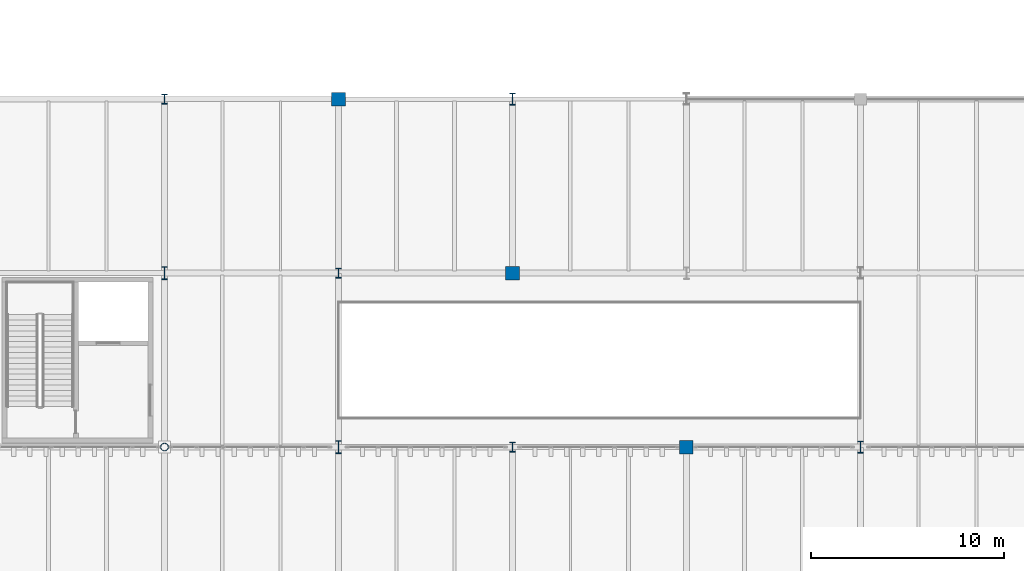
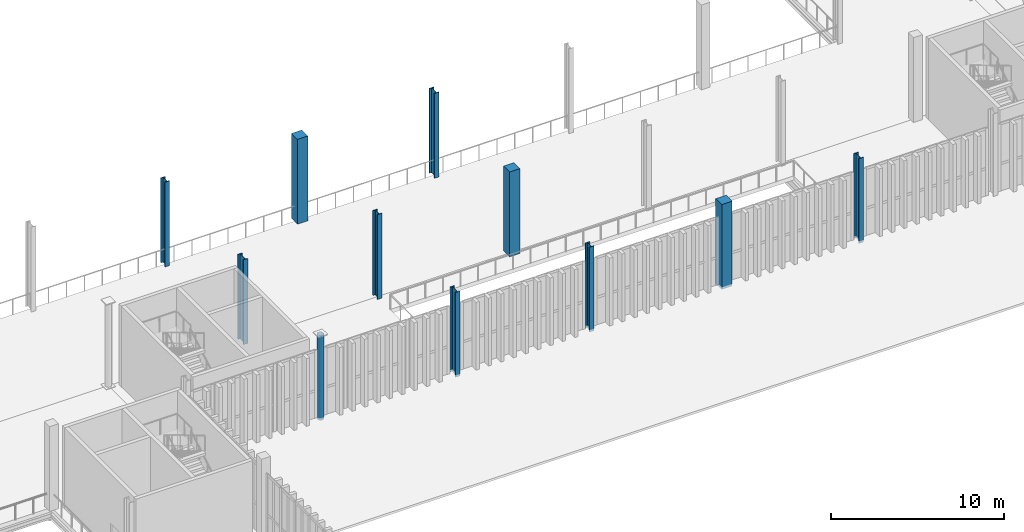
# One storey, part 6 of 211: 11 columns.
"""IFC4 building model written with IfcOpenShell, lengths in metres."""

import ifcopenshell
import ifcopenshell.guid

model = None  # the IFC model being written
_history = None  # IfcOwnerHistory: only IFC2X3 demands one
_inside = {}  # id of a spatial element -> (the spatial element, [elements in it])
_under = {}  # id of a project, library or spatial element -> (it, [spatial elements below it])
_declared = {}  # id of a project -> (the project, [libraries it declares])
_typed = {}  # id of a type object -> (the type object, [elements of that type])
_made_of = {}  # id of a material, layer set ... -> (it, [elements and type objects made of it])


def new_model(schema):
    """Start an empty IFC model of exactly this schema.

    Asked for "IFC4X3", IfcOpenShell would pick the latest addendum, in which some entities
    have other attributes; the version numbers below select the first issue.
    IFC2X3 requires an IfcOwnerHistory on every rooted entity: one is made here for all.
    """
    global model, _history
    if schema == "IFC4X3":
        model = ifcopenshell.file(schema_version=(4, 3, 0, 0))
    else:
        model = ifcopenshell.file(schema=schema)
    _inside.clear()
    _under.clear()
    _declared.clear()
    _typed.clear()
    _made_of.clear()
    _history = None
    if model.schema == "IFC2X3":
        org = make("IfcOrganization", Name="unknown")
        user = make(
            "IfcPersonAndOrganization",
            ThePerson=make("IfcPerson", FamilyName="unknown"),
            TheOrganization=org,
        )
        app = make(
            "IfcApplication",
            ApplicationDeveloper=org,
            Version="unknown",
            ApplicationFullName="unknown",
            ApplicationIdentifier="unknown",
        )
        _history = make(
            "IfcOwnerHistory",
            OwningUser=user,
            OwningApplication=app,
            ChangeAction="ADDED",
            CreationDate=0,
        )
    return model


def make(cls, **values):
    """One entity of the class cls with the attributes given. An attribute that is None is left unset."""
    return model.create_entity(
        cls, **{name: value for name, value in values.items() if value is not None}
    )


def rooted(cls, **values):
    """An entity with a GlobalId (a new one), such as an element, a storey or a relation."""
    return make(cls, GlobalId=ifcopenshell.guid.new(), OwnerHistory=_history, **values)


def si_unit(unit_type, name, prefix=None):
    """IfcSIUnit, for example si_unit("LENGTHUNIT", "METRE", prefix="MILLI")."""
    return make("IfcSIUnit", UnitType=unit_type, Prefix=prefix, Name=name)


def assignment(units):
    """IfcUnitAssignment: the units of a project."""
    return None if units is None else make("IfcUnitAssignment", Units=units)


def point(xyz):
    """IfcCartesianPoint."""
    return None if xyz is None else make("IfcCartesianPoint", Coordinates=xyz)


def direction(xyz):
    """IfcDirection."""
    return None if xyz is None else make("IfcDirection", DirectionRatios=xyz)


def frame(location, z_axis=None, x_axis=None):
    """IfcAxis2Placement3D, a coordinate frame: its origin and axes. An axis left out is left unset."""
    return make(
        "IfcAxis2Placement3D",
        Location=point(location),
        Axis=direction(z_axis),
        RefDirection=direction(x_axis),
    )


def frame_2d(location, x_axis=None):
    """IfcAxis2Placement2D, a coordinate frame in the plane: its origin and x axis."""
    return make(
        "IfcAxis2Placement2D", Location=point(location), RefDirection=direction(x_axis)
    )


def origin():
    """The frame at (0, 0, 0) with its axes left unset."""
    return frame((0.0, 0.0, 0.0))


def origin_2d():
    """The frame at (0, 0) in the plane with its x axis left unset."""
    return frame_2d((0.0, 0.0))


def place(relative_to, where):
    """IfcLocalPlacement: puts the frame where relative to a parent placement (None: the world)."""
    return make(
        "IfcLocalPlacement", PlacementRelTo=relative_to, RelativePlacement=where
    )


def context(
    kind, dimensions, precision=None, world=None, true_north=None, identifier=None
):
    """IfcGeometricRepresentationContext, for example the 3D "Model" context."""
    return make(
        "IfcGeometricRepresentationContext",
        ContextIdentifier=identifier,
        ContextType=kind,
        CoordinateSpaceDimension=dimensions,
        Precision=precision,
        WorldCoordinateSystem=world,
        TrueNorth=true_north,
    )


def subcontext(parent, identifier, kind, view, scale=None):
    """IfcGeometricRepresentationSubContext, for example "Body" below "Model"."""
    return make(
        "IfcGeometricRepresentationSubContext",
        ContextIdentifier=identifier,
        ContextType=kind,
        ParentContext=parent,
        TargetScale=scale,
        TargetView=view,
    )


def project(units=None, contexts=None):
    """IfcProject with its units and contexts."""
    return rooted(
        "IfcProject",
        Name="project",
        RepresentationContexts=contexts,
        UnitsInContext=assignment(units),
    )


def spatial(cls, under=None, at=None, **own):
    """A site, building, storey or space (cls), placed at a placement, below another one or the project."""
    s = rooted(cls, ObjectPlacement=at, **own)
    if under is not None:
        _under.setdefault(under.id(), (under, []))[1].append(s)
    return s


def profile(cls, at=None, kind="AREA", **sizes):
    """A parametric profile (cls). Its sizes go by their IFC names, for example OverallWidth=200.0."""
    return make(cls, ProfileType=kind, Position=at, **sizes)


def rectangle(**sizes):
    """IfcRectangleProfileDef."""
    return profile("IfcRectangleProfileDef", **sizes)


def hollow_circle(**sizes):
    """IfcCircleHollowProfileDef."""
    return profile("IfcCircleHollowProfileDef", **sizes)


def i_section(**sizes):
    """IfcIShapeProfileDef."""
    return profile("IfcIShapeProfileDef", **sizes)


def extrude(swept, where, along, depth):
    """IfcExtrudedAreaSolid: the profile swept, set in the frame where, extruded along a direction by depth."""
    return make(
        "IfcExtrudedAreaSolid",
        SweptArea=swept,
        Position=where,
        ExtrudedDirection=direction(along),
        Depth=depth,
    )


def shape(context_of_items, identifier, shape_type, items):
    """IfcShapeRepresentation: the items that make up one representation, for example the "Body"."""
    return make(
        "IfcShapeRepresentation",
        ContextOfItems=context_of_items,
        RepresentationIdentifier=identifier,
        RepresentationType=shape_type,
        Items=items,
    )


def material(Name=None, Category=None):
    """IfcMaterial."""
    return make("IfcMaterial", Name=Name, Category=Category)


def material_profile(
    of_material, cross_section, Name=None, Category=None, Priority=None
):
    """IfcMaterialProfile: a cross section and its material."""
    return make(
        "IfcMaterialProfile",
        Name=Name,
        Material=of_material,
        Profile=cross_section,
        Priority=Priority,
        Category=Category,
    )


def profile_set(profiles, Name=None, composite=None):
    """IfcMaterialProfileSet."""
    return make(
        "IfcMaterialProfileSet",
        Name=Name,
        MaterialProfiles=profiles,
        CompositeProfile=composite,
    )


def made_of(thing, what):
    """Note that an element or type object is made of a material, layer set ...; save() writes the relation."""
    if what is not None:
        _made_of.setdefault(what.id(), (what, []))[1].append(thing)
    return thing


def type_object(cls, material=None, **own):
    """A type object (cls), such as IfcWallType, which elements share."""
    return made_of(rooted(cls, **own), material)


def element(
    cls,
    number,
    at=None,
    inside=None,
    cuts=None,
    type_object=None,
    material=None,
    context=None,
    identifier="Body",
    shape_type=None,
    held_by="IfcProductDefinitionShape",
    body=None,
    shapes=None,
    **own,
):
    """One element of the class cls, such as IfcWall. Its Tag is "e" and its number.

    at: its placement. inside: the storey or other place that contains it. cuts: it is an
    opening in that element (IfcRelVoidsElement). A single representation is given by context,
    identifier, shape_type and body (its items); several are given by shapes. held_by: the class
    of the entity that holds the representations. save() writes the other relations.
    """
    e = rooted(cls, Tag="e%d" % number, ObjectPlacement=at, **own)
    if body is not None:
        shapes = [shape(context, identifier, shape_type, body)]
    if shapes is not None:
        e.Representation = make(held_by, Representations=shapes)
    if inside is not None:
        _inside.setdefault(inside.id(), (inside, []))[1].append(e)
    if cuts is not None:
        rooted(
            "IfcRelVoidsElement", RelatingBuildingElement=cuts, RelatedOpeningElement=e
        )
    if type_object is not None:
        _typed.setdefault(type_object.id(), (type_object, []))[1].append(e)
    return made_of(e, material)


def aggregate(whole, parts):
    """IfcRelAggregates: a whole, such as a stair, and the parts it consists of."""
    return rooted("IfcRelAggregates", RelatingObject=whole, RelatedObjects=parts)


def save(model, path):
    """Write the relations noted so far, then the file.

    IfcRelAggregates (storeys below a building ...), IfcRelContainedInSpatialStructure (elements
    in a storey), IfcRelDefinesByType, IfcRelAssociatesMaterial and IfcRelDeclares: one each for
    every whole, place, type object, material and project.
    """
    for whole, parts in _under.values():
        aggregate(whole, parts)
    for where, things in _inside.values():
        rooted(
            "IfcRelContainedInSpatialStructure",
            RelatedElements=things,
            RelatingStructure=where,
        )
    for kind, things in _typed.values():
        rooted("IfcRelDefinesByType", RelatedObjects=things, RelatingType=kind)
    for what, things in _made_of.values():
        rooted("IfcRelAssociatesMaterial", RelatedObjects=things, RelatingMaterial=what)
    for by, libraries in _declared.values():
        rooted("IfcRelDeclares", RelatingContext=by, RelatedDefinitions=libraries)
    model.write(path)


model = new_model("IFC4")

# Units and contexts
model_context = context("Model", 3, precision=1e-05, world=origin(), true_north=direction((0.0, 1.0)))
body_context = subcontext(model_context, "Body", "Model", "MODEL_VIEW")
ifc_project = project(units=[si_unit("LENGTHUNIT", "METRE"), si_unit("AREAUNIT", "SQUARE_METRE"), si_unit("VOLUMEUNIT", "CUBIC_METRE"), si_unit("PLANEANGLEUNIT", "RADIAN"), si_unit("MASSUNIT", "GRAM", prefix="KILO")], contexts=[model_context])

# Site, building, storey
site_placement = place(None, origin())
site = spatial("IfcSite", under=ifc_project, at=site_placement, CompositionType="ELEMENT")
building_placement = place(site_placement, origin())
building = spatial("IfcBuilding", under=site, at=building_placement, Name="Barlavento Convention Centre", CompositionType="ELEMENT")
storey_placement = place(building_placement, frame((0.0, 0.0, 6.0)))
storey = spatial("IfcBuildingStorey", under=building, at=storey_placement, Name="L01", CompositionType="ELEMENT", Elevation=6.0)

# Columns
ifc_material_1 = material(Name="Steel S355", Category="steel")
ifc_material_profile_1 = material_profile(ifc_material_1, hollow_circle(Radius=0.203125, WallThickness=0.01611328125, at=origin_2d()), Name="CHS 406.4x16.0")
ifc_profile_set_1 = profile_set([ifc_material_profile_1], Name="Steel S355")
column_type_1 = type_object("IfcColumnType", Name="STR-COL-CHS406", PredefinedType="COLUMN", material=ifc_profile_set_1)
column_placement = place(storey_placement, frame((72.0, 45.0, 0.0), z_axis=(0.0, 0.0, 1.0), x_axis=(1.0, 0.0, 0.0)))
element("IfcColumn", 1, at=column_placement, inside=storey, type_object=column_type_1, Name="L01 column SC14", PredefinedType="COLUMN", context=body_context, shape_type="SweptSolid", body=[
    extrude(hollow_circle(Radius=0.203125, WallThickness=0.01611328125, at=origin_2d()), origin(), (0.0, 0.0, 1.0), 6.0),
])
ifc_material_profile_2 = material_profile(ifc_material_1, i_section(OverallWidth=0.305908203125, OverallDepth=0.52392578125, WebThickness=0.02099609375, FlangeThickness=0.0400390625, FilletRadius=0.027099609375, at=origin_2d()), Name="HEM 500")
ifc_profile_set_2 = profile_set([ifc_material_profile_2], Name="Steel S355")
column_type_2 = type_object("IfcColumnType", Name="STR-COL-HEM500", PredefinedType="COLUMN", material=ifc_profile_set_2)
for number, where, z_axis, x_axis, name in (
    (2, (72.0, 63.0, 0.0), (0.0, 0.0, 1.0), (1.0, 0.0, 0.0), "L01 column SC07"),
    (3, (81.0, 54.0, 0.0), (0.0, 0.0, 1.0), (1.0, 0.0, 0.0), "L01 column SC07"),
    (4, (90.0, 45.0, 0.0), (0.0, 0.0, 1.0), (1.0, 0.0, 0.0), "L01 column SC07"),
):
    element("IfcColumn", number, at=place(storey_placement, frame(where, z_axis=z_axis, x_axis=x_axis)), inside=storey, type_object=column_type_2, Name=name, PredefinedType="COLUMN", context=body_context, shape_type="SweptSolid", body=[
        extrude(i_section(OverallWidth=0.305908203125, OverallDepth=0.52392578125, WebThickness=0.02099609375, FlangeThickness=0.0400390625, FilletRadius=0.027099609375, at=origin_2d()), origin(), (0.0, 0.0, 1.0), 6.0),
    ])
ifc_material_profile_3 = material_profile(ifc_material_1, i_section(OverallWidth=0.304931640625, OverallDepth=0.6201171875, WebThickness=0.02099609375, FlangeThickness=0.0400390625, FilletRadius=0.027099609375, at=origin_2d()), Name="HEM 600")
ifc_profile_set_3 = profile_set([ifc_material_profile_3], Name="Steel S355")
column_type_3 = type_object("IfcColumnType", Name="STR-COL-HEM600", PredefinedType="COLUMN", material=ifc_profile_set_3)
for number, where, z_axis, x_axis, name in (
    (5, (90.0, 63.0, 0.0), (0.0, 0.0, 1.0), (1.0, 0.0, 0.0), "L01 column SC05"),
    (6, (108.0, 45.0, 0.0), (0.0, 0.0, 1.0), (1.0, 0.0, 0.0), "L01 column SC05"),
):
    element("IfcColumn", number, at=place(storey_placement, frame(where, z_axis=z_axis, x_axis=x_axis)), inside=storey, type_object=column_type_3, Name=name, PredefinedType="COLUMN", context=body_context, shape_type="SweptSolid", body=[
        extrude(i_section(OverallWidth=0.304931640625, OverallDepth=0.6201171875, WebThickness=0.02099609375, FlangeThickness=0.0400390625, FilletRadius=0.027099609375, at=origin_2d()), origin(), (0.0, 0.0, 1.0), 6.0),
    ])
ifc_material_2 = material(Name="Steel S460", Category="steel")
ifc_material_profile_4 = material_profile(ifc_material_2, i_section(OverallWidth=0.304931640625, OverallDepth=0.66796875, WebThickness=0.02099609375, FlangeThickness=0.0400390625, FilletRadius=0.027099609375, at=origin_2d()), Name="HEM 650")
ifc_profile_set_4 = profile_set([ifc_material_profile_4], Name="Steel S460")
column_type_4 = type_object("IfcColumnType", Name="STR-COL-HEM650", PredefinedType="COLUMN", material=ifc_profile_set_4)
for number, where, z_axis, x_axis, name in (
    (7, (72.0, 54.0, 0.0), (0.0, 0.0, 1.0), (1.0, 0.0, 0.0), "L01 column SC04"),
    (8, (81.0, 45.0, 0.0), (0.0, 0.0, 1.0), (1.0, 0.0, 0.0), "L01 column SC04"),
):
    element("IfcColumn", number, at=place(storey_placement, frame(where, z_axis=z_axis, x_axis=x_axis)), inside=storey, type_object=column_type_4, Name=name, PredefinedType="COLUMN", context=body_context, shape_type="SweptSolid", body=[
        extrude(i_section(OverallWidth=0.304931640625, OverallDepth=0.66796875, WebThickness=0.02099609375, FlangeThickness=0.0400390625, FilletRadius=0.027099609375, at=origin_2d()), origin(), (0.0, 0.0, 1.0), 6.0),
    ])
ifc_material_3 = material(Name="Concrete C40/50", Category="concrete")
ifc_material_profile_5 = material_profile(ifc_material_3, rectangle(XDim=0.699951171875, YDim=0.699951171875, at=origin_2d()), Name="RC 700x700")
ifc_profile_set_5 = profile_set([ifc_material_profile_5], Name="Concrete C40/50")
column_type_5 = type_object("IfcColumnType", Name="STR-COL-RC700", PredefinedType="COLUMN", material=ifc_profile_set_5)
for number, where, z_axis, x_axis, name in (
    (9, (81.0, 63.0, 0.0), (0.0, 0.0, 1.0), (1.0, 0.0, 0.0), "L01 column CC06"),
    (10, (90.0, 54.0, 0.0), (0.0, 0.0, 1.0), (1.0, 0.0, 0.0), "L01 column CC06"),
    (11, (99.0, 45.0, 0.0), (0.0, 0.0, 1.0), (1.0, 0.0, 0.0), "L01 column CC06"),
):
    element("IfcColumn", number, at=place(storey_placement, frame(where, z_axis=z_axis, x_axis=x_axis)), inside=storey, type_object=column_type_5, Name=name, PredefinedType="COLUMN", context=body_context, shape_type="SweptSolid", body=[
        extrude(rectangle(XDim=0.699951171875, YDim=0.699951171875, at=origin_2d()), origin(), (0.0, 0.0, 1.0), 6.0),
    ])

save(model, "model.ifc")
